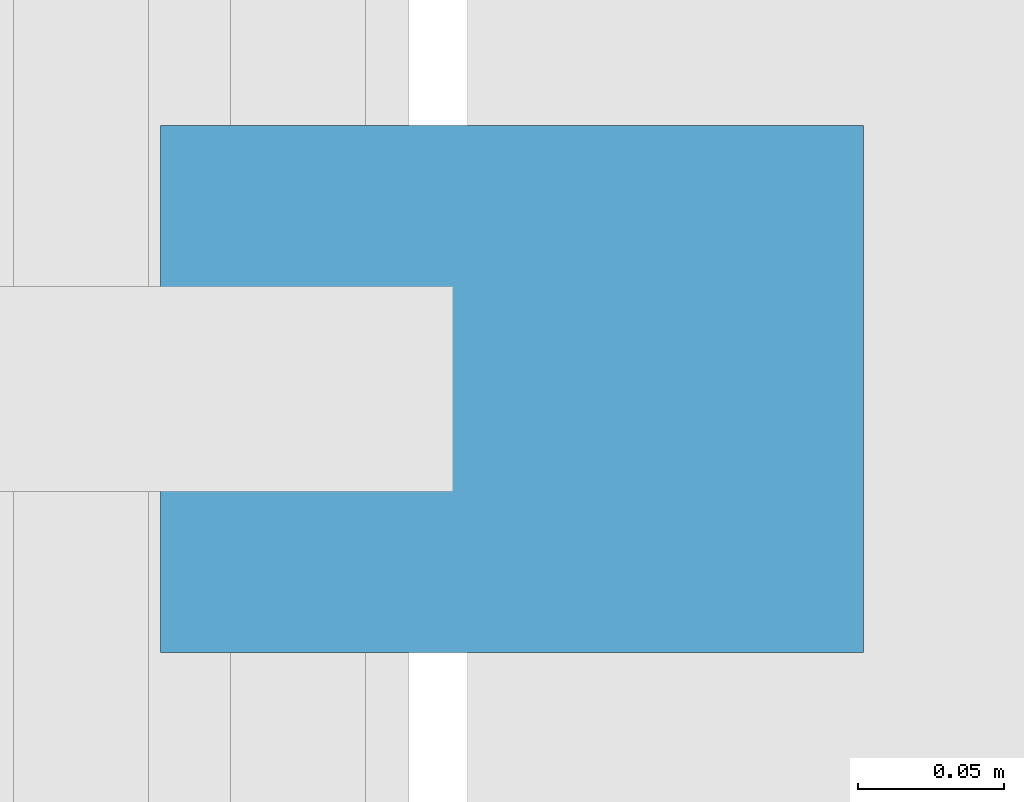
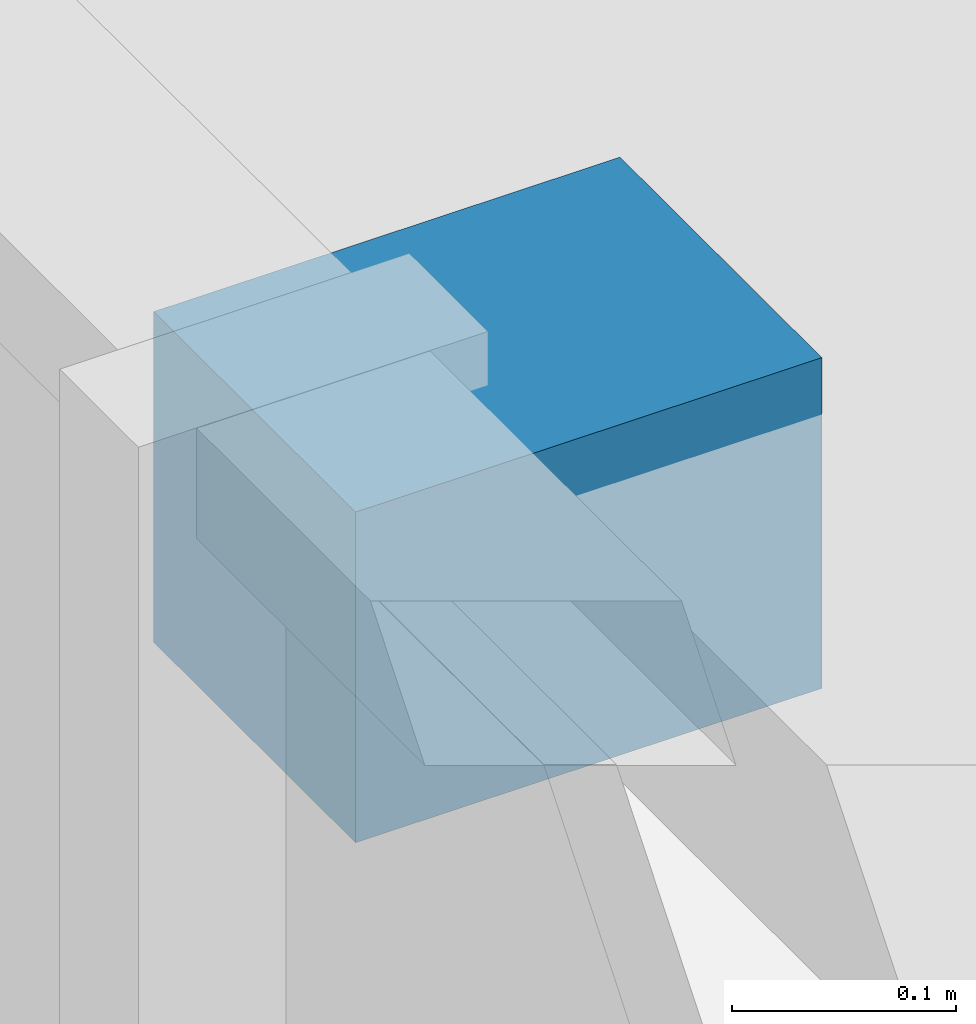
# One storey, part 52 of 73: 1 discrete accessory.
"""IFC4 building model written with IfcOpenShell, lengths in metres."""

from ifc_helpers import new_model, si_unit, direction, frame, origin, origin_2d, place, context, subcontext, project, spatial, rectangle, extrude, material, type_object, element, save


model = new_model("IFC4")

# Units and contexts
model_context = context("Model", 3, precision=1e-05, world=origin(), true_north=direction((0.0, 1.0)))
body_context = subcontext(model_context, "Body", "Model", "MODEL_VIEW")
ifc_project = project(units=[si_unit("LENGTHUNIT", "METRE"), si_unit("AREAUNIT", "SQUARE_METRE"), si_unit("VOLUMEUNIT", "CUBIC_METRE"), si_unit("PLANEANGLEUNIT", "RADIAN"), si_unit("MASSUNIT", "GRAM", prefix="KILO")], contexts=[model_context])

# Site, building, storey
site_placement = place(None, origin())
site = spatial("IfcSite", under=ifc_project, at=site_placement, CompositionType="ELEMENT")
building_placement = place(site_placement, origin())
building = spatial("IfcBuilding", under=site, at=building_placement, Name="Kisiwana Market Hall", CompositionType="ELEMENT")
storey_placement = place(building_placement, frame((0.0, 0.0, 33.300048828125)))
storey = spatial("IfcBuildingStorey", under=building, at=storey_placement, Name="L07", CompositionType="ELEMENT", Elevation=33.300048828125)

# Discrete accessory
ifc_material = material(Name="Steel S355", Category="steel")
discrete_accessory_type = type_object("IfcDiscreteAccessoryType", Name="ACC-BRACKET-STL", PredefinedType="BRACKET", material=ifc_material)
discrete_accessory_placement = place(storey_placement, frame((45.110107421875, 88.5, 4.044921875), z_axis=(0.0, 0.0, 1.0), x_axis=(0.0, 1.0, 0.0)))
element("IfcDiscreteAccessory", 1, at=discrete_accessory_placement, inside=storey, type_object=discrete_accessory_type, Name="Sunshade steel bracket BRK-138", PredefinedType="BRACKET", context=body_context, shape_type="SweptSolid", body=[
    extrude(rectangle(XDim=0.179931640625, YDim=0.239990234375, at=origin_2d()), origin(), (0.0, 0.0, 1.0), 0.179931640625),
])

save(model, "model.ifc")
